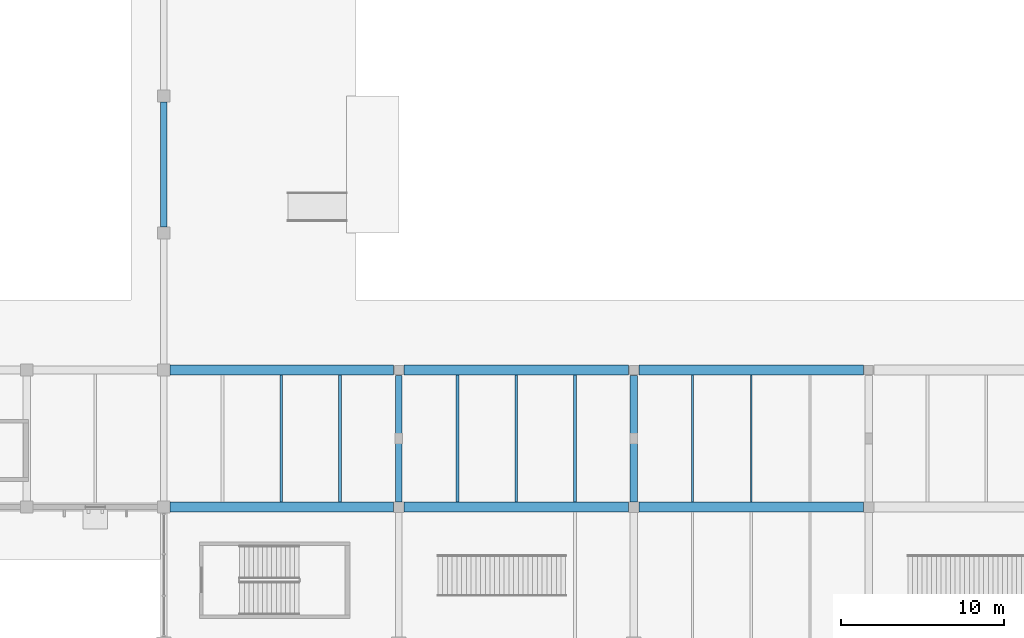
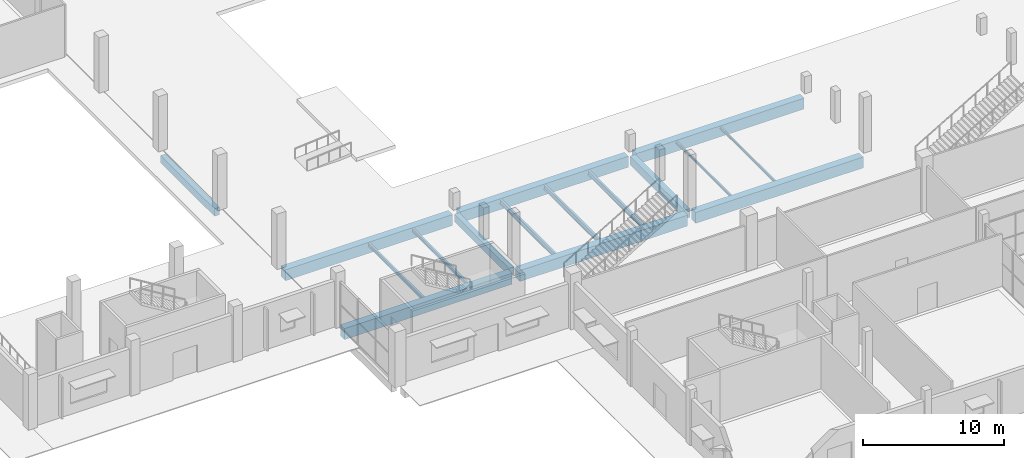
# One storey, part 19 of 130: 16 beams.
"""IFC4 building model written with IfcOpenShell, lengths in metres."""

from ifc_helpers import new_model, si_unit, direction, frame, origin, origin_2d, place, context, subcontext, project, spatial, rectangle, i_section, extrude, material, material_profile, profile_set, type_object, element, save


model = new_model("IFC4")

# Units and contexts
model_context = context("Model", 3, precision=1e-05, world=origin(), true_north=direction((0.0, 1.0)))
body_context = subcontext(model_context, "Body", "Model", "MODEL_VIEW")
ifc_project = project(units=[si_unit("LENGTHUNIT", "METRE"), si_unit("AREAUNIT", "SQUARE_METRE"), si_unit("VOLUMEUNIT", "CUBIC_METRE"), si_unit("PLANEANGLEUNIT", "RADIAN"), si_unit("MASSUNIT", "GRAM", prefix="KILO"), si_unit("THERMODYNAMICTEMPERATUREUNIT", "KELVIN")], contexts=[model_context])

# Site, building, storey
site_placement = place(None, origin())
site = spatial("IfcSite", under=ifc_project, at=site_placement, CompositionType="ELEMENT")
building_placement = place(site_placement, origin())
building = spatial("IfcBuilding", under=site, at=building_placement, Name="Nduvali Passage Aquatics Centre", CompositionType="ELEMENT")
storey_placement = place(building_placement, origin())
storey = spatial("IfcBuildingStorey", under=building, at=storey_placement, Name="L00", CompositionType="ELEMENT", Elevation=0.0)

# Beams
ifc_material_1 = material(Name="Concrete C40/50", Category="concrete")
ifc_material_profile_1 = material_profile(ifc_material_1, rectangle(XDim=0.449951171875, YDim=0.75, at=origin_2d()), Name="RC 450x750")
ifc_profile_set_1 = profile_set([ifc_material_profile_1], Name="Concrete C40/50")
beam_type_1 = type_object("IfcBeamType", Name="STR-BM-RC4575", PredefinedType="BEAM", material=ifc_profile_set_1)
beam_1_placement = place(storey_placement, frame((54.0, 33.925048828125, -0.695068359375), z_axis=(0.0, 1.0, 0.0), x_axis=(-1.0, 0.0, 0.0)))
element("IfcBeam", 1, at=beam_1_placement, inside=storey, type_object=beam_type_1, Name="L00 Primary Y-Girder B3-0145", PredefinedType="BEAM", context=body_context, shape_type="SweptSolid", body=[
    extrude(rectangle(XDim=0.449951171875, YDim=0.75, at=origin_2d()), origin(), (0.0, 0.0, 1.0), 7.75),
])
ifc_material_profile_2 = material_profile(ifc_material_1, rectangle(XDim=0.60009765625, YDim=0.949951171875, at=origin_2d()), Name="RC 600x950")
ifc_profile_set_2 = profile_set([ifc_material_profile_2], Name="Concrete C40/50")
beam_type_2 = type_object("IfcBeamType", Name="STR-BM-RC6095", PredefinedType="BEAM", material=ifc_profile_set_2)
beam_2_placement = place(storey_placement, frame((25.574951171875, 33.60009765625, -0.794921875), z_axis=(1.0, 0.0, 0.0), x_axis=(0.0, 1.0, 0.0)))
element("IfcBeam", 2, at=beam_2_placement, inside=storey, type_object=beam_type_2, Name="L00 Primary X-Girder B1-0028", PredefinedType="BEAM", context=body_context, shape_type="SweptSolid", body=[
    extrude(rectangle(XDim=0.60009765625, YDim=0.949951171875, at=origin_2d()), origin(), (0.0, 0.0, 1.0), 13.699951171875),
])
for number, where, z_axis, x_axis, name in (
    (3, (39.925048828125, 33.60009765625, -0.794921875), (1.0, 0.0, 0.0), (0.0, 1.0, 0.0), "L00 Primary X-Girder B1-0029"),
    (4, (54.324951171875, 33.60009765625, -0.794921875), (1.0, 0.0, 0.0), (0.0, 1.0, 0.0), "L00 Primary X-Girder B1-0030"),
):
    element("IfcBeam", number, at=place(storey_placement, frame(where, z_axis=z_axis, x_axis=x_axis)), inside=storey, type_object=beam_type_2, Name=name, PredefinedType="BEAM", context=body_context, shape_type="SweptSolid", body=[
        extrude(rectangle(XDim=0.60009765625, YDim=0.949951171875, at=origin_2d()), origin(), (0.0, 0.0, 1.0), 13.75),
    ])
beam_3_placement = place(storey_placement, frame((25.574951171875, 42.0, -0.794921875), z_axis=(1.0, 0.0, 0.0), x_axis=(0.0, 1.0, 0.0)))
element("IfcBeam", 5, at=beam_3_placement, inside=storey, type_object=beam_type_2, Name="L00 Primary X-Girder B1-0041", PredefinedType="BEAM", context=body_context, shape_type="SweptSolid", body=[
    extrude(rectangle(XDim=0.60009765625, YDim=0.949951171875, at=origin_2d()), origin(), (0.0, 0.0, 1.0), 13.699951171875),
])
for number, where, z_axis, x_axis, name in (
    (6, (39.925048828125, 42.0, -0.794921875), (1.0, 0.0, 0.0), (0.0, 1.0, 0.0), "L00 Primary X-Girder B1-0042"),
    (7, (54.324951171875, 42.0, -0.794921875), (1.0, 0.0, 0.0), (0.0, 1.0, 0.0), "L00 Primary X-Girder B1-0043"),
):
    element("IfcBeam", number, at=place(storey_placement, frame(where, z_axis=z_axis, x_axis=x_axis)), inside=storey, type_object=beam_type_2, Name=name, PredefinedType="BEAM", context=body_context, shape_type="SweptSolid", body=[
        extrude(rectangle(XDim=0.60009765625, YDim=0.949951171875, at=origin_2d()), origin(), (0.0, 0.0, 1.0), 13.75),
    ])
ifc_material_2 = material(Name="Steel S355", Category="steel")
ifc_material_profile_3 = material_profile(ifc_material_2, i_section(OverallWidth=0.110107421875, OverallDepth=0.219970703125, WebThickness=0.005859375, FlangeThickness=0.00927734375, FilletRadius=0.011962890625, at=origin_2d()), Name="IPE 220")
ifc_profile_set_3 = profile_set([ifc_material_profile_3], Name="Steel S355")
beam_type_3 = type_object("IfcBeamType", Name="STR-JST-IPE220", PredefinedType="JOIST", material=ifc_profile_set_3)
for number, where, z_axis, x_axis, name in (
    (8, (57.60009765625, 33.89990234375, -0.43408203125), (0.0, 1.0, 0.0), (-1.0, 0.0, 0.0), "L00 Secondary Joist J9-0314"),
    (9, (61.199951171875, 33.89990234375, -0.43408203125), (0.0, 1.0, 0.0), (-1.0, 0.0, 0.0), "L00 Secondary Joist J9-0315"),
):
    element("IfcBeam", number, at=place(storey_placement, frame(where, z_axis=z_axis, x_axis=x_axis)), inside=storey, type_object=beam_type_3, Name=name, PredefinedType="JOIST", context=body_context, shape_type="SweptSolid", body=[
        extrude(i_section(OverallWidth=0.110107421875, OverallDepth=0.219970703125, WebThickness=0.005859375, FlangeThickness=0.00927734375, FilletRadius=0.011962890625, at=origin_2d()), origin(), (0.0, 0.0, 1.0), 7.800048828125),
    ])
ifc_material_profile_4 = material_profile(ifc_material_2, i_section(OverallWidth=0.165771484375, OverallDepth=0.306640625, WebThickness=0.006591796875, FlangeThickness=0.01171875, FilletRadius=0.0087890625, at=origin_2d()), Name="UKB 305x165x46")
ifc_profile_set_4 = profile_set([ifc_material_profile_4], Name="Steel S355")
beam_type_4 = type_object("IfcBeamType", Name="STR-JST-UKB305", PredefinedType="JOIST", material=ifc_profile_set_4)
for number, where, z_axis, x_axis, name in (
    (10, (32.39990234375, 33.89990234375, -0.477294921875), (0.0, 1.0, 0.0), (-1.0, 0.0, 0.0), "L00 Secondary Joist J3-0309"),
    (11, (36.0, 33.89990234375, -0.477294921875), (0.0, 1.0, 0.0), (-1.0, 0.0, 0.0), "L00 Secondary Joist J3-0310"),
):
    element("IfcBeam", number, at=place(storey_placement, frame(where, z_axis=z_axis, x_axis=x_axis)), inside=storey, type_object=beam_type_4, Name=name, PredefinedType="JOIST", context=body_context, shape_type="SweptSolid", body=[
        extrude(i_section(OverallWidth=0.165771484375, OverallDepth=0.306640625, WebThickness=0.006591796875, FlangeThickness=0.01171875, FilletRadius=0.0087890625, at=origin_2d()), origin(), (0.0, 0.0, 1.0), 7.800048828125),
    ])
ifc_material_profile_5 = material_profile(ifc_material_2, i_section(OverallWidth=0.1787109375, OverallDepth=0.409423828125, WebThickness=0.0087890625, FlangeThickness=0.014404296875, FilletRadius=0.01025390625, at=origin_2d()), Name="UKB 406x178x67")
ifc_profile_set_5 = profile_set([ifc_material_profile_5], Name="Steel S355")
beam_type_5 = type_object("IfcBeamType", Name="STR-JST-UKB406", PredefinedType="JOIST", material=ifc_profile_set_5)
for number, where, z_axis, x_axis, name in (
    (12, (43.199951171875, 33.89990234375, -0.52880859375), (0.0, 1.0, 0.0), (-1.0, 0.0, 0.0), "L00 Secondary Joist J1-0311"),
    (13, (46.800048828125, 33.89990234375, -0.52880859375), (0.0, 1.0, 0.0), (-1.0, 0.0, 0.0), "L00 Secondary Joist J1-0312"),
    (14, (50.39990234375, 33.89990234375, -0.52880859375), (0.0, 1.0, 0.0), (-1.0, 0.0, 0.0), "L00 Secondary Joist J1-0313"),
):
    element("IfcBeam", number, at=place(storey_placement, frame(where, z_axis=z_axis, x_axis=x_axis)), inside=storey, type_object=beam_type_5, Name=name, PredefinedType="JOIST", context=body_context, shape_type="SweptSolid", body=[
        extrude(i_section(OverallWidth=0.1787109375, OverallDepth=0.409423828125, WebThickness=0.0087890625, FlangeThickness=0.014404296875, FilletRadius=0.01025390625, at=origin_2d()), origin(), (0.0, 0.0, 1.0), 7.800048828125),
    ])
ifc_material_profile_6 = material_profile(ifc_material_1, rectangle(XDim=0.39990234375, YDim=0.64990234375, at=origin_2d()), Name="RC 400x650")
ifc_profile_set_6 = profile_set([ifc_material_profile_6], Name="Concrete C40/50")
beam_type_6 = type_object("IfcBeamType", Name="STR-SPN-RC4065-EXT", PredefinedType="SPANDREL", material=ifc_profile_set_6)
beam_4_placement = place(storey_placement, frame((25.199951171875, 50.77490234375, -0.6650390625), z_axis=(0.0, 1.0, 0.0), x_axis=(-1.0, 0.0, 0.0)))
element("IfcBeam", 15, at=beam_4_placement, inside=storey, type_object=beam_type_6, Name="L00 Primary Y-Girder SP1E-0126", PredefinedType="SPANDREL", context=body_context, shape_type="SweptSolid", body=[
    extrude(rectangle(XDim=0.39990234375, YDim=0.64990234375, at=origin_2d()), origin(), (0.0, 0.0, 1.0), 7.650146484375),
])
beam_5_placement = place(storey_placement, frame((39.60009765625, 33.925048828125, -0.64501953125), z_axis=(0.0, 1.0, 0.0), x_axis=(-1.0, 0.0, 0.0)))
element("IfcBeam", 16, at=beam_5_placement, inside=storey, type_object=beam_type_6, Name="L00 Primary Y-Girder SP1E-0135", PredefinedType="SPANDREL", context=body_context, shape_type="SweptSolid", body=[
    extrude(rectangle(XDim=0.39990234375, YDim=0.64990234375, at=origin_2d()), origin(), (0.0, 0.0, 1.0), 7.75),
])

save(model, "model.ifc")
